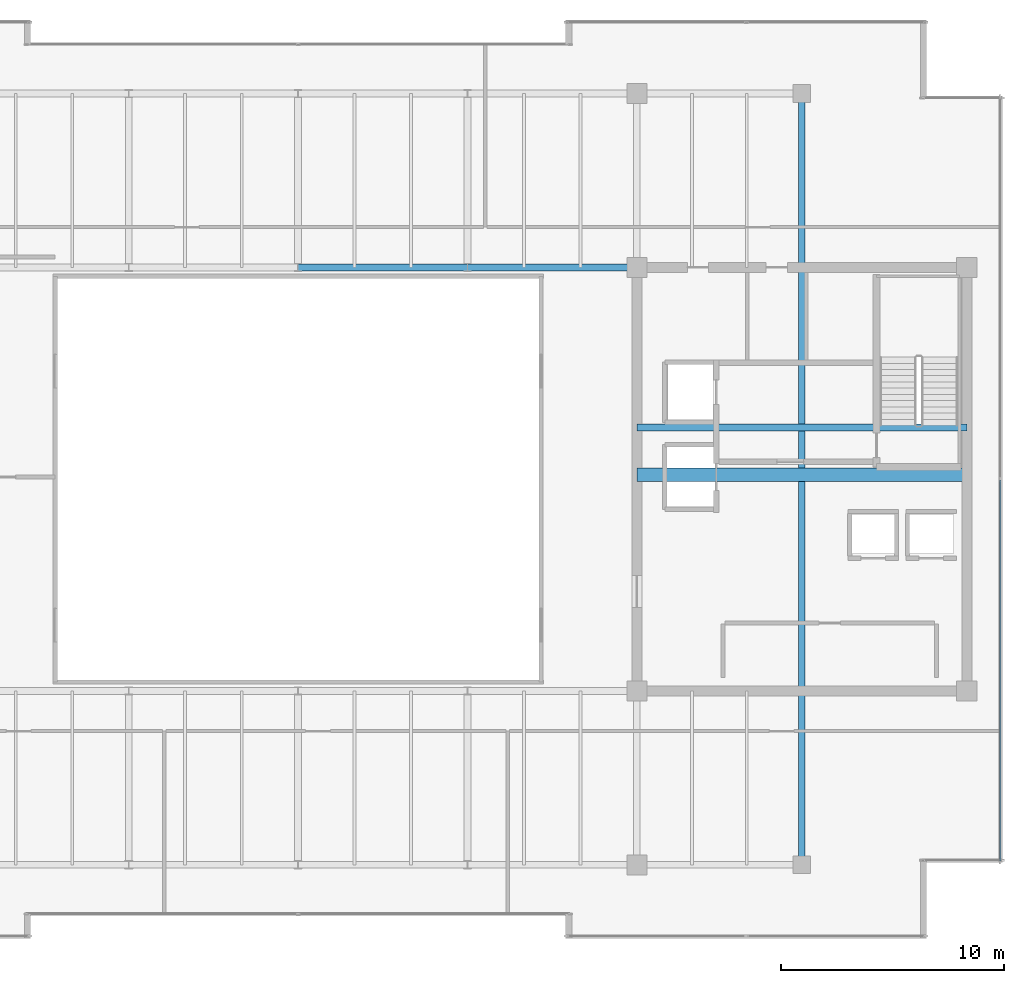
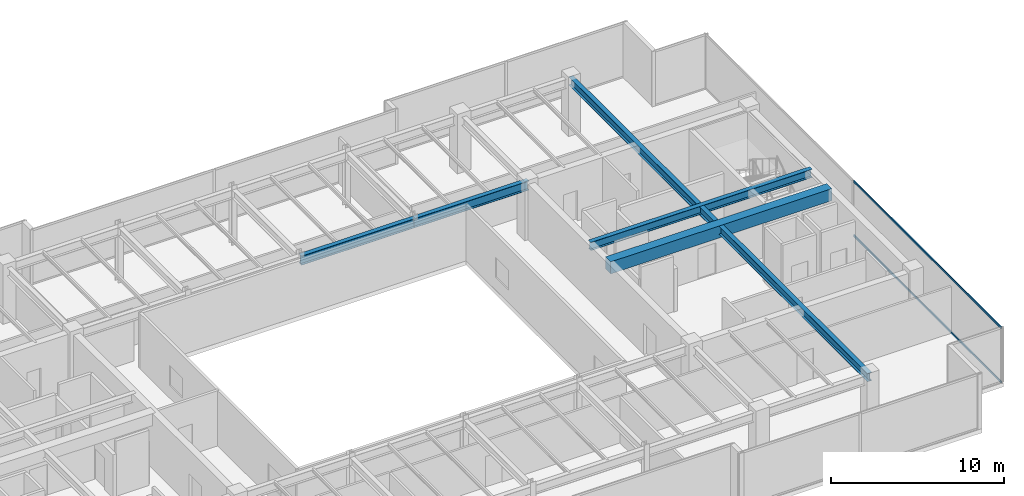
# One storey, part 16 of 31: 5 beams, 2 members, 1 element without a shape of its own.
"""IFC4 building model written with IfcOpenShell, lengths in metres."""

from ifc_helpers import new_model, si_unit, direction, frame, origin, origin_2d, place, context, subcontext, project, spatial, rectangle, hollow_rectangle, i_section, extrude, source, transform, mapped, material, layer, layer_set, material_profile, profile_set, type_object, type_shapes, element, aggregate, save


model = new_model("IFC4")

# Units and contexts
model_context = context("Model", 3, precision=1e-05, world=origin(), true_north=direction((0.0, 1.0)))
body_context = subcontext(model_context, "Body", "Model", "MODEL_VIEW")
ifc_project = project(units=[si_unit("LENGTHUNIT", "METRE"), si_unit("AREAUNIT", "SQUARE_METRE"), si_unit("VOLUMEUNIT", "CUBIC_METRE"), si_unit("PLANEANGLEUNIT", "RADIAN"), si_unit("MASSUNIT", "GRAM", prefix="KILO")], contexts=[model_context])

# Site, building, storey
site_placement = place(None, origin())
site = spatial("IfcSite", under=ifc_project, at=site_placement, CompositionType="ELEMENT")
building_placement = place(site_placement, origin())
building = spatial("IfcBuilding", under=site, at=building_placement, Name="Haelvirn Gate Laboratories", CompositionType="ELEMENT")
storey_placement = place(building_placement, frame((0.0, 0.0, 318.60009765625)))
storey = spatial("IfcBuildingStorey", under=building, at=storey_placement, Name="L76", CompositionType="ELEMENT", Elevation=318.60009765625)

# Beams
ifc_material_1 = material(Name="Steel SM355", Category="steel")
ifc_material_profile_1 = material_profile(ifc_material_1, i_section(OverallWidth=0.300048828125, OverallDepth=0.587890625, WebThickness=0.011962890625, FlangeThickness=0.02001953125, at=origin_2d()), Name="H-588x300x12x20")
ifc_profile_set_1 = profile_set([ifc_material_profile_1], Name="Steel SM355")
beam_type_1 = type_object("IfcBeamType", Name="BM-G-588", PredefinedType="BEAM", material=ifc_profile_set_1)
shared_shape_1 = source(origin(), body_context, "Body", "SweptSolid", [
    extrude(i_section(OverallWidth=0.300048828125, OverallDepth=0.587890625, WebThickness=0.011962890625, FlangeThickness=0.02001953125, at=origin_2d()), origin(), (0.0, 0.0, 1.0), 14.7998046875),
])
beam_1_placement = place(storey_placement, frame((52.60009765625, 26.6201171875, 3.60595703125), z_axis=(1.0, 0.0, 0.0), x_axis=(0.0, 1.0, 0.0)))
element("IfcBeam", 1, at=beam_1_placement, inside=storey, type_object=beam_type_1, Name="L76 Stair ST2 Landing Header", PredefinedType="BEAM", context=body_context, shape_type="MappedRepresentation", body=[
    mapped(shared_shape_1, transform((0.0, 0.0, 0.0), scale=1.0)),
])
shared_shape_2 = source(origin(), body_context, "Body", "SweptSolid", [
    extrude(i_section(OverallWidth=0.300048828125, OverallDepth=0.587890625, WebThickness=0.011962890625, FlangeThickness=0.02001953125, at=origin_2d()), origin(), (0.0, 0.0, 1.0), 34.60009765625),
])
type_shapes(beam_type_1, [shared_shape_1, shared_shape_2])
beam_2_placement = place(storey_placement, frame((60.0, 7.0, 3.60595703125), z_axis=(0.0, 1.0, 0.0), x_axis=(-1.0, 0.0, 0.0)))
element("IfcBeam", 2, at=beam_2_placement, inside=storey, type_object=beam_type_1, Name="L76 Frame Girder X60.0 (7.0-41.6)", PredefinedType="BEAM", context=body_context, shape_type="MappedRepresentation", body=[
    mapped(shared_shape_2, transform((0.0, 0.0, 0.0), scale=1.0)),
])
ifc_material_2 = material(Name="Concrete C50/60", Category="concrete")
ifc_material_profile_2 = material_profile(ifc_material_2, rectangle(XDim=0.60009765625, YDim=0.85009765625, at=origin_2d()), Name="RCB-600x850")
ifc_profile_set_2 = profile_set([ifc_material_profile_2], Name="Concrete C50/60")
beam_type_2 = type_object("IfcBeamType", Name="BM-RCB-850", PredefinedType="LINTEL", material=ifc_profile_set_2)
shared_shape_3 = source(origin(), body_context, "Body", "SweptSolid", [
    extrude(rectangle(XDim=0.60009765625, YDim=0.85009765625, at=origin_2d()), origin(), (0.0, 0.0, 1.0), 14.7998046875),
])
type_shapes(beam_type_2, [shared_shape_3])
beam_3_placement = place(storey_placement, frame((52.60009765625, 24.5, 3.474853515625), z_axis=(1.0, 0.0, 0.0), x_axis=(0.0, 1.0, 0.0)))
element("IfcBeam", 3, at=beam_3_placement, inside=storey, type_object=beam_type_2, Name="L76 East Core Coupling Beam", PredefinedType="LINTEL", context=body_context, shape_type="MappedRepresentation", body=[
    mapped(shared_shape_3, transform((0.0, 0.0, 0.0), scale=1.0)),
])
ifc_material_profile_3 = material_profile(ifc_material_1, i_section(OverallWidth=0.300048828125, OverallDepth=0.64990234375, WebThickness=0.012939453125, FlangeThickness=0.02197265625, at=origin_2d()), Name="H-650x300x13x22")
ifc_profile_set_3 = profile_set([ifc_material_profile_3], Name="Steel SM355")
beam_type_3 = type_object("IfcBeamType", Name="BM-G-650", PredefinedType="BEAM", material=ifc_profile_set_3)
shared_shape_4 = source(origin(), body_context, "Body", "SweptSolid", [
    extrude(i_section(OverallWidth=0.300048828125, OverallDepth=0.64990234375, WebThickness=0.012939453125, FlangeThickness=0.02197265625, at=origin_2d()), origin(), (0.0, 0.0, 1.0), 7.60009765625),
])
type_shapes(beam_type_3, [shared_shape_4])
for number, where, z_axis, x_axis, name in (
    (4, (37.39990234375, 33.800048828125, 3.574951171875), (1.0, 0.0, 0.0), (0.0, 1.0, 0.0), "L76 Primary Girder Y33.8 (37.4-45.0)"),
    (5, (45.0, 33.800048828125, 3.574951171875), (1.0, 0.0, 0.0), (0.0, 1.0, 0.0), "L76 Primary Girder Y33.8 (45.0-52.6)"),
):
    element("IfcBeam", number, at=place(storey_placement, frame(where, z_axis=z_axis, x_axis=x_axis)), inside=storey, type_object=beam_type_3, Name=name, PredefinedType="BEAM", context=body_context, shape_type="MappedRepresentation", body=[
        mapped(shared_shape_4, transform((0.0, 0.0, 0.0), scale=1.0)),
    ])

# Curtain wall, members
ifc_material_3 = material(Name="Anodised bronze unitised aluminium & triple low-E glass", Category="aluminium")
ifc_layer = layer(ifc_material_3, 0.176025390625, Name="CW-SYS-4")
ifc_layer_set = layer_set([ifc_layer], Name="Anodised bronze unitised aluminium & triple low-E glass")
curtain_wall_type = type_object("IfcCurtainWallType", Name="CW-SYS-4", PredefinedType="NOTDEFINED", material=ifc_layer_set)
curtain_wall_placement = place(storey_placement, origin())
curtain_wall = element("IfcCurtainWall", 6, at=curtain_wall_placement, inside=storey, type_object=curtain_wall_type, Name="L76 Unitised Curtain Wall CW-L76-P0-E07", PredefinedType="NOTDEFINED")
ifc_material_4 = material(Name="Extruded aluminium 6063-T6 (anodised bronze)", Category="aluminium")
ifc_material_profile_4 = material_profile(ifc_material_4, hollow_rectangle(XDim=0.06494140625, YDim=0.139892578125, WallThickness=0.00390625, at=origin_2d()), Name="CWT-140x65x4")
ifc_profile_set_4 = profile_set([ifc_material_profile_4], Name="Extruded aluminium 6063-T6 (anodised bronze)")
member_type = type_object("IfcMemberType", Name="CWT-T140", PredefinedType="USERDEFINED", material=ifc_profile_set_4)
shared_shape_5 = source(origin(), body_context, "Body", "SweptSolid", [
    extrude(hollow_rectangle(XDim=0.06494140625, YDim=0.139892578125, WallThickness=0.00390625, at=origin_2d()), origin(), (0.0, 0.0, 1.0), 17.094970703125),
])
type_shapes(member_type, [shared_shape_5])
member_1_placement = place(storey_placement, frame((68.89990234375, 7.169921875, 0.032470703125), z_axis=(0.0, 1.0, 0.0), x_axis=(-1.0, 0.0, 0.0)))
member_1 = element("IfcMember", 7, at=member_1_placement, type_object=member_type, Name="CW4 transom 1.1", ObjectType="TRANSOM", PredefinedType="USERDEFINED", context=body_context, shape_type="MappedRepresentation", body=[
    mapped(shared_shape_5, transform((0.0, 0.0, 0.0), scale=1.0)),
])
member_2_placement = place(storey_placement, frame((68.89990234375, 7.169921875, 3.867431640625), z_axis=(0.0, 1.0, 0.0), x_axis=(-1.0, 0.0, 0.0)))
member_2 = element("IfcMember", 8, at=member_2_placement, type_object=member_type, Name="CW4 transom 1.2", ObjectType="TRANSOM", PredefinedType="USERDEFINED", context=body_context, shape_type="MappedRepresentation", body=[
    mapped(shared_shape_5, transform((0.0, 0.0, 0.0), scale=1.0)),
])
aggregate(curtain_wall, [member_1, member_2])

save(model, "model.ifc")
